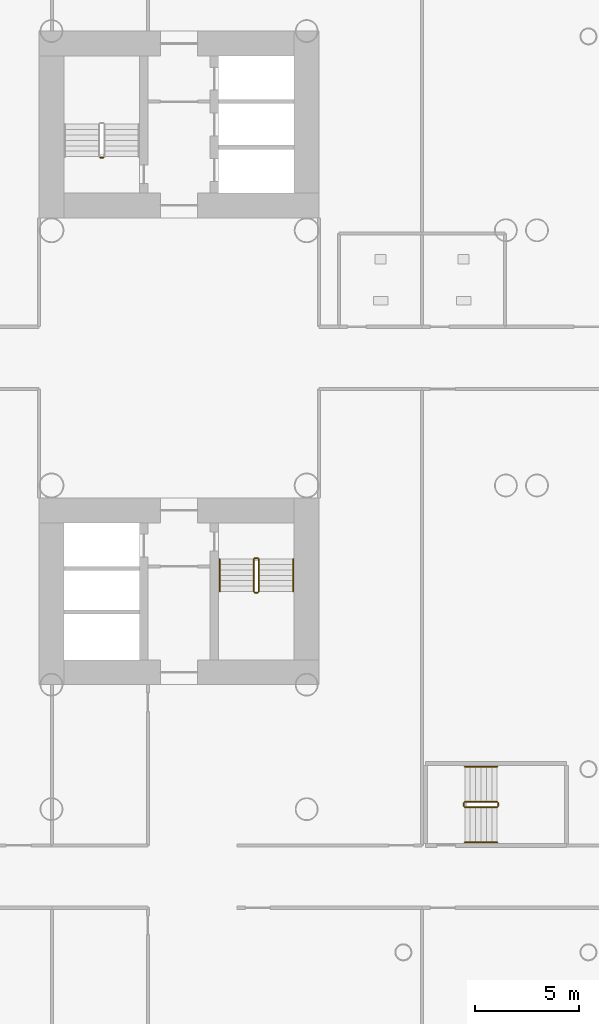
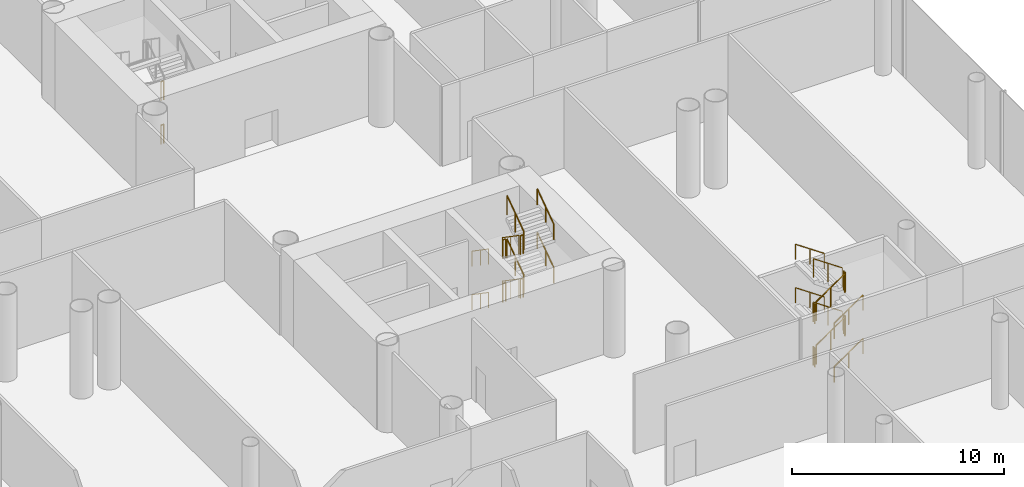
# One storey, part 54 of 59: 26 railings.
"""IFC4 building model written with IfcOpenShell, lengths in metres."""

from ifc_helpers import new_model, si_unit, direction, frame, origin, origin_2d, place, context, subcontext, project, spatial, circle, extrude, material, type_object, element, save


model = new_model("IFC4")

# Units and contexts
model_context = context("Model", 3, precision=1e-05, world=origin(), true_north=direction((0.0, 1.0)))
body_context = subcontext(model_context, "Body", "Model", "MODEL_VIEW")
ifc_project = project(units=[si_unit("LENGTHUNIT", "METRE"), si_unit("AREAUNIT", "SQUARE_METRE"), si_unit("VOLUMEUNIT", "CUBIC_METRE"), si_unit("PLANEANGLEUNIT", "RADIAN"), si_unit("MASSUNIT", "GRAM", prefix="KILO")], contexts=[model_context])

# Site, building, storey
site_placement = place(None, origin())
site = spatial("IfcSite", under=ifc_project, at=site_placement, CompositionType="ELEMENT")
building_placement = place(site_placement, origin())
building = spatial("IfcBuilding", under=site, at=building_placement, Name="Ipe Terrace Towers", CompositionType="ELEMENT")
storey_placement = place(building_placement, frame((0.0, 0.0, 6.0)))
storey = spatial("IfcBuildingStorey", under=building, at=storey_placement, Name="L01", CompositionType="ELEMENT", Elevation=6.0)

# Railings
ifc_material_1 = material(Name="Steel S355", Category="steel")
railing_type_1 = type_object("IfcRailingType", Name="Stair guard 1100", PredefinedType="GUARDRAIL", material=ifc_material_1)
for number, where, name in (
    (1, (32.35009765625, 9.64990234375, 2.5), "L01 T2-ST1 stair guard 4"),
    (2, (32.35009765625, 9.64990234375, 0.0), "L01 T2-ST1 stair guard 8"),
):
    element("IfcRailing", number, at=place(storey_placement, frame(where)), inside=storey, type_object=railing_type_1, Name=name, PredefinedType="GUARDRAIL", context=body_context, shape_type="SweptSolid", body=[
        extrude(circle(Radius=0.02392578125, at=origin_2d()), frame((0.0, 0.0, 1.076171875), z_axis=(-1.0, 0.0, 0.0), x_axis=(0.0, -1.0, 0.0)), (0.0, 0.0, 1.0), 0.150146484375),
        extrude(circle(Radius=0.02099609375, at=origin_2d()), origin(), (0.0, 0.0, 1.0), 1.052001953125),
        extrude(circle(Radius=0.02099609375, at=origin_2d()), frame((-0.150146484375, 0.0, 0.0)), (0.0, 0.0, 1.0), 1.052001953125),
    ])
railing_1_placement = place(storey_placement, frame((39.60009765625, -9.699951171875, 0.178466796875)))
element("IfcRailing", 3, at=railing_1_placement, inside=storey, type_object=railing_type_1, Name="L01 T2-ST2 stair guard 1", PredefinedType="GUARDRAIL", context=body_context, shape_type="SweptSolid", body=[
    extrude(circle(Radius=0.02392578125, at=origin_2d()), frame((0.0, 0.0, 1.076171875), z_axis=(0.0, -0.82429025813, 0.566167440208), x_axis=(1.0, 0.0, 0.0)), (0.0, 0.0, 1.0), 1.892578125),
    extrude(circle(Radius=0.02099609375, at=origin_2d()), origin(), (0.0, 0.0, 1.0), 1.052001953125),
    extrude(circle(Radius=0.02099609375, at=origin_2d()), frame((0.0, -0.780029296875, 0.53564453125)), (0.0, 0.0, 1.0), 1.052001953125),
    extrude(circle(Radius=0.02099609375, at=origin_2d()), frame((0.0, -1.56005859375, 1.071533203125)), (0.0, 0.0, 1.0), 1.052001953125),
])
railing_2_placement = place(storey_placement, frame((39.64990234375, -11.31005859375, 1.25)))
element("IfcRailing", 4, at=railing_2_placement, inside=storey, type_object=railing_type_1, Name="L01 T2-ST2 stair guard 2", PredefinedType="GUARDRAIL", context=body_context, shape_type="SweptSolid", body=[
    extrude(circle(Radius=0.02392578125, at=origin_2d()), frame((0.0, 0.0, 1.076171875), z_axis=(1.0, 0.0, 0.0), x_axis=(0.0, 1.0, 0.0)), (0.0, 0.0, 1.0), 0.150146484375),
    extrude(circle(Radius=0.02099609375, at=origin_2d()), origin(), (0.0, 0.0, 1.0), 1.052001953125),
    extrude(circle(Radius=0.02099609375, at=origin_2d()), frame((0.150146484375, 0.0, 0.0)), (0.0, 0.0, 1.0), 1.052001953125),
])
railing_3_placement = place(storey_placement, frame((39.85009765625, -11.260009765625, 1.428466796875)))
element("IfcRailing", 5, at=railing_3_placement, inside=storey, type_object=railing_type_1, Name="L01 T2-ST2 stair guard 3", PredefinedType="GUARDRAIL", context=body_context, shape_type="SweptSolid", body=[
    extrude(circle(Radius=0.02392578125, at=origin_2d()), frame((0.0, 0.0, 1.076171875), z_axis=(0.0, 0.82429025813, 0.566167440208), x_axis=(-1.0, 0.0, 0.0)), (0.0, 0.0, 1.0), 1.892578125),
    extrude(circle(Radius=0.02099609375, at=origin_2d()), origin(), (0.0, 0.0, 1.0), 1.052001953125),
    extrude(circle(Radius=0.02099609375, at=origin_2d()), frame((0.0, 0.780029296875, 0.53564453125)), (0.0, 0.0, 1.0), 1.052001953125),
    extrude(circle(Radius=0.02099609375, at=origin_2d()), frame((0.0, 1.56005859375, 1.071533203125)), (0.0, 0.0, 1.0), 1.052001953125),
])
railing_4_placement = place(storey_placement, frame((39.64990234375, -9.64990234375, 2.5)))
element("IfcRailing", 6, at=railing_4_placement, inside=storey, type_object=railing_type_1, Name="L01 T2-ST2 stair guard 4", PredefinedType="GUARDRAIL", context=body_context, shape_type="SweptSolid", body=[
    extrude(circle(Radius=0.02392578125, at=origin_2d()), frame((0.0, 0.0, 1.076171875), z_axis=(1.0, 0.0, 0.0), x_axis=(0.0, 1.0, 0.0)), (0.0, 0.0, 1.0), 0.150146484375),
    extrude(circle(Radius=0.02099609375, at=origin_2d()), origin(), (0.0, 0.0, 1.0), 1.052001953125),
    extrude(circle(Radius=0.02099609375, at=origin_2d()), frame((0.150146484375, 0.0, 0.0)), (0.0, 0.0, 1.0), 1.052001953125),
])
railing_5_placement = place(storey_placement, frame((39.60009765625, -9.699951171875, 2.678466796875)))
element("IfcRailing", 7, at=railing_5_placement, inside=storey, type_object=railing_type_1, Name="L01 T2-ST2 stair guard 5", PredefinedType="GUARDRAIL", context=body_context, shape_type="SweptSolid", body=[
    extrude(circle(Radius=0.02392578125, at=origin_2d()), frame((0.0, 0.0, 1.076171875), z_axis=(0.0, -0.82429025813, 0.566167440208), x_axis=(1.0, 0.0, 0.0)), (0.0, 0.0, 1.0), 1.892578125),
    extrude(circle(Radius=0.02099609375, at=origin_2d()), origin(), (0.0, 0.0, 1.0), 1.052001953125),
    extrude(circle(Radius=0.02099609375, at=origin_2d()), frame((0.0, -0.780029296875, 0.53564453125)), (0.0, 0.0, 1.0), 1.052001953125),
    extrude(circle(Radius=0.02099609375, at=origin_2d()), frame((0.0, -1.56005859375, 1.071533203125)), (0.0, 0.0, 1.0), 1.052001953125),
])
railing_6_placement = place(storey_placement, frame((39.64990234375, -11.31005859375, 3.75)))
element("IfcRailing", 8, at=railing_6_placement, inside=storey, type_object=railing_type_1, Name="L01 T2-ST2 stair guard 6", PredefinedType="GUARDRAIL", context=body_context, shape_type="SweptSolid", body=[
    extrude(circle(Radius=0.02392578125, at=origin_2d()), frame((0.0, 0.0, 1.076171875), z_axis=(1.0, 0.0, 0.0), x_axis=(0.0, 1.0, 0.0)), (0.0, 0.0, 1.0), 0.150146484375),
    extrude(circle(Radius=0.02099609375, at=origin_2d()), origin(), (0.0, 0.0, 1.0), 1.052001953125),
    extrude(circle(Radius=0.02099609375, at=origin_2d()), frame((0.150146484375, 0.0, 0.0)), (0.0, 0.0, 1.0), 1.052001953125),
])
railing_7_placement = place(storey_placement, frame((39.85009765625, -11.260009765625, 3.928466796875)))
element("IfcRailing", 9, at=railing_7_placement, inside=storey, type_object=railing_type_1, Name="L01 T2-ST2 stair guard 7", PredefinedType="GUARDRAIL", context=body_context, shape_type="SweptSolid", body=[
    extrude(circle(Radius=0.02392578125, at=origin_2d()), frame((0.0, 0.0, 1.076171875), z_axis=(0.0, 0.82429025813, 0.566167440208), x_axis=(-1.0, 0.0, 0.0)), (0.0, 0.0, 1.0), 1.892578125),
    extrude(circle(Radius=0.02099609375, at=origin_2d()), origin(), (0.0, 0.0, 1.0), 1.052001953125),
    extrude(circle(Radius=0.02099609375, at=origin_2d()), frame((0.0, 0.780029296875, 0.53564453125)), (0.0, 0.0, 1.0), 1.052001953125),
    extrude(circle(Radius=0.02099609375, at=origin_2d()), frame((0.0, 1.56005859375, 1.071533203125)), (0.0, 0.0, 1.0), 1.052001953125),
])
railing_8_placement = place(storey_placement, frame((39.64990234375, -9.64990234375, 0.0)))
element("IfcRailing", 10, at=railing_8_placement, inside=storey, type_object=railing_type_1, Name="L01 T2-ST2 stair guard 8", PredefinedType="GUARDRAIL", context=body_context, shape_type="SweptSolid", body=[
    extrude(circle(Radius=0.02392578125, at=origin_2d()), frame((0.0, 0.0, 1.076171875), z_axis=(1.0, 0.0, 0.0), x_axis=(0.0, 1.0, 0.0)), (0.0, 0.0, 1.0), 0.150146484375),
    extrude(circle(Radius=0.02099609375, at=origin_2d()), origin(), (0.0, 0.0, 1.0), 1.052001953125),
    extrude(circle(Radius=0.02099609375, at=origin_2d()), frame((0.150146484375, 0.0, 0.0)), (0.0, 0.0, 1.0), 1.052001953125),
])
railing_9_placement = place(storey_placement, frame((49.77001953125, -21.64990234375, 0.178466796875)))
element("IfcRailing", 11, at=railing_9_placement, inside=storey, type_object=railing_type_1, Name="L01 PS6 stair guard 1", PredefinedType="GUARDRAIL", context=body_context, shape_type="SweptSolid", body=[
    extrude(circle(Radius=0.02392578125, at=origin_2d()), frame((0.0, 0.0, 1.076171875), z_axis=(0.82429025813, 0.0, 0.566167440208), x_axis=(0.0, 1.0, 0.0)), (0.0, 0.0, 1.0), 1.892578125),
    extrude(circle(Radius=0.02099609375, at=origin_2d()), origin(), (0.0, 0.0, 1.0), 1.052001953125),
    extrude(circle(Radius=0.02099609375, at=origin_2d()), frame((0.780029296875, 0.0, 0.53564453125)), (0.0, 0.0, 1.0), 1.052001953125),
    extrude(circle(Radius=0.02099609375, at=origin_2d()), frame((1.56005859375, 0.0, 1.071533203125)), (0.0, 0.0, 1.0), 1.052001953125),
])
railing_10_placement = place(storey_placement, frame((51.3798828125, -21.60009765625, 1.25)))
element("IfcRailing", 12, at=railing_10_placement, inside=storey, type_object=railing_type_1, Name="L01 PS6 stair guard 2", PredefinedType="GUARDRAIL", context=body_context, shape_type="SweptSolid", body=[
    extrude(circle(Radius=0.02392578125, at=origin_2d()), frame((0.0, 0.0, 1.076171875), z_axis=(0.0, 1.0, 0.0), x_axis=(-1.0, 0.0, 0.0)), (0.0, 0.0, 1.0), 0.150146484375),
    extrude(circle(Radius=0.02099609375, at=origin_2d()), origin(), (0.0, 0.0, 1.0), 1.052001953125),
    extrude(circle(Radius=0.02099609375, at=origin_2d()), frame((0.0, 0.150146484375, 0.0)), (0.0, 0.0, 1.0), 1.052001953125),
])
railing_11_placement = place(storey_placement, frame((51.330078125, -21.39990234375, 1.428466796875)))
element("IfcRailing", 13, at=railing_11_placement, inside=storey, type_object=railing_type_1, Name="L01 PS6 stair guard 3", PredefinedType="GUARDRAIL", context=body_context, shape_type="SweptSolid", body=[
    extrude(circle(Radius=0.02392578125, at=origin_2d()), frame((0.0, 0.0, 1.076171875), z_axis=(-0.82429025813, 0.0, 0.566167440208), x_axis=(0.0, -1.0, 0.0)), (0.0, 0.0, 1.0), 1.892578125),
    extrude(circle(Radius=0.02099609375, at=origin_2d()), origin(), (0.0, 0.0, 1.0), 1.052001953125),
    extrude(circle(Radius=0.02099609375, at=origin_2d()), frame((-0.780029296875, 0.0, 0.53564453125)), (0.0, 0.0, 1.0), 1.052001953125),
    extrude(circle(Radius=0.02099609375, at=origin_2d()), frame((-1.56005859375, 0.0, 1.071533203125)), (0.0, 0.0, 1.0), 1.052001953125),
])
railing_12_placement = place(storey_placement, frame((49.719970703125, -21.60009765625, 2.5)))
element("IfcRailing", 14, at=railing_12_placement, inside=storey, type_object=railing_type_1, Name="L01 PS6 stair guard 4", PredefinedType="GUARDRAIL", context=body_context, shape_type="SweptSolid", body=[
    extrude(circle(Radius=0.02392578125, at=origin_2d()), frame((0.0, 0.0, 1.076171875), z_axis=(0.0, 1.0, 0.0), x_axis=(-1.0, 0.0, 0.0)), (0.0, 0.0, 1.0), 0.150146484375),
    extrude(circle(Radius=0.02099609375, at=origin_2d()), origin(), (0.0, 0.0, 1.0), 1.052001953125),
    extrude(circle(Radius=0.02099609375, at=origin_2d()), frame((0.0, 0.150146484375, 0.0)), (0.0, 0.0, 1.0), 1.052001953125),
])
railing_13_placement = place(storey_placement, frame((49.77001953125, -21.64990234375, 2.678466796875)))
element("IfcRailing", 15, at=railing_13_placement, inside=storey, type_object=railing_type_1, Name="L01 PS6 stair guard 5", PredefinedType="GUARDRAIL", context=body_context, shape_type="SweptSolid", body=[
    extrude(circle(Radius=0.02392578125, at=origin_2d()), frame((0.0, 0.0, 1.076171875), z_axis=(0.82429025813, 0.0, 0.566167440208), x_axis=(0.0, 1.0, 0.0)), (0.0, 0.0, 1.0), 1.892578125),
    extrude(circle(Radius=0.02099609375, at=origin_2d()), origin(), (0.0, 0.0, 1.0), 1.052001953125),
    extrude(circle(Radius=0.02099609375, at=origin_2d()), frame((0.780029296875, 0.0, 0.53564453125)), (0.0, 0.0, 1.0), 1.052001953125),
    extrude(circle(Radius=0.02099609375, at=origin_2d()), frame((1.56005859375, 0.0, 1.071533203125)), (0.0, 0.0, 1.0), 1.052001953125),
])
railing_14_placement = place(storey_placement, frame((51.3798828125, -21.60009765625, 3.75)))
element("IfcRailing", 16, at=railing_14_placement, inside=storey, type_object=railing_type_1, Name="L01 PS6 stair guard 6", PredefinedType="GUARDRAIL", context=body_context, shape_type="SweptSolid", body=[
    extrude(circle(Radius=0.02392578125, at=origin_2d()), frame((0.0, 0.0, 1.076171875), z_axis=(0.0, 1.0, 0.0), x_axis=(-1.0, 0.0, 0.0)), (0.0, 0.0, 1.0), 0.150146484375),
    extrude(circle(Radius=0.02099609375, at=origin_2d()), origin(), (0.0, 0.0, 1.0), 1.052001953125),
    extrude(circle(Radius=0.02099609375, at=origin_2d()), frame((0.0, 0.150146484375, 0.0)), (0.0, 0.0, 1.0), 1.052001953125),
])
railing_15_placement = place(storey_placement, frame((51.330078125, -21.39990234375, 3.928466796875)))
element("IfcRailing", 17, at=railing_15_placement, inside=storey, type_object=railing_type_1, Name="L01 PS6 stair guard 7", PredefinedType="GUARDRAIL", context=body_context, shape_type="SweptSolid", body=[
    extrude(circle(Radius=0.02392578125, at=origin_2d()), frame((0.0, 0.0, 1.076171875), z_axis=(-0.82429025813, 0.0, 0.566167440208), x_axis=(0.0, -1.0, 0.0)), (0.0, 0.0, 1.0), 1.892578125),
    extrude(circle(Radius=0.02099609375, at=origin_2d()), origin(), (0.0, 0.0, 1.0), 1.052001953125),
    extrude(circle(Radius=0.02099609375, at=origin_2d()), frame((-0.780029296875, 0.0, 0.53564453125)), (0.0, 0.0, 1.0), 1.052001953125),
    extrude(circle(Radius=0.02099609375, at=origin_2d()), frame((-1.56005859375, 0.0, 1.071533203125)), (0.0, 0.0, 1.0), 1.052001953125),
])
railing_16_placement = place(storey_placement, frame((49.719970703125, -21.60009765625, 0.0)))
element("IfcRailing", 18, at=railing_16_placement, inside=storey, type_object=railing_type_1, Name="L01 PS6 stair guard 8", PredefinedType="GUARDRAIL", context=body_context, shape_type="SweptSolid", body=[
    extrude(circle(Radius=0.02392578125, at=origin_2d()), frame((0.0, 0.0, 1.076171875), z_axis=(0.0, 1.0, 0.0), x_axis=(-1.0, 0.0, 0.0)), (0.0, 0.0, 1.0), 0.150146484375),
    extrude(circle(Radius=0.02099609375, at=origin_2d()), origin(), (0.0, 0.0, 1.0), 1.052001953125),
    extrude(circle(Radius=0.02099609375, at=origin_2d()), frame((0.0, 0.150146484375, 0.0)), (0.0, 0.0, 1.0), 1.052001953125),
])
ifc_material_2 = material(Name="Stainless steel grade 304", Category="steel")
railing_type_2 = type_object("IfcRailingType", Name="Stair handrail 900", PredefinedType="HANDRAIL", material=ifc_material_2)
railing_17_placement = place(storey_placement, frame((37.949951171875, -9.699951171875, 0.178466796875)))
element("IfcRailing", 19, at=railing_17_placement, inside=storey, type_object=railing_type_2, Name="L01 T2-ST2 stair handrail 1", PredefinedType="HANDRAIL", context=body_context, shape_type="SweptSolid", body=[
    extrude(circle(Radius=0.02392578125, at=origin_2d()), frame((0.0, 0.0, 0.8759765625), z_axis=(0.0, -0.82429025813, 0.566167440208), x_axis=(1.0, 0.0, 0.0)), (0.0, 0.0, 1.0), 1.892578125),
    extrude(circle(Radius=0.02099609375, at=origin_2d()), origin(), (0.0, 0.0, 1.0), 0.851806640625),
    extrude(circle(Radius=0.02099609375, at=origin_2d()), frame((0.0, -0.780029296875, 0.53564453125)), (0.0, 0.0, 1.0), 0.851806640625),
    extrude(circle(Radius=0.02099609375, at=origin_2d()), frame((0.0, -1.56005859375, 1.071533203125)), (0.0, 0.0, 1.0), 0.851806640625),
])
railing_18_placement = place(storey_placement, frame((41.5, -11.260009765625, 1.428466796875)))
element("IfcRailing", 20, at=railing_18_placement, inside=storey, type_object=railing_type_2, Name="L01 T2-ST2 stair handrail 2", PredefinedType="HANDRAIL", context=body_context, shape_type="SweptSolid", body=[
    extrude(circle(Radius=0.02392578125, at=origin_2d()), frame((0.0, 0.0, 0.8759765625), z_axis=(0.0, 0.82429025813, 0.566167440208), x_axis=(-1.0, 0.0, 0.0)), (0.0, 0.0, 1.0), 1.892578125),
    extrude(circle(Radius=0.02099609375, at=origin_2d()), origin(), (0.0, 0.0, 1.0), 0.851806640625),
    extrude(circle(Radius=0.02099609375, at=origin_2d()), frame((0.0, 0.780029296875, 0.53564453125)), (0.0, 0.0, 1.0), 0.851806640625),
    extrude(circle(Radius=0.02099609375, at=origin_2d()), frame((0.0, 1.56005859375, 1.071533203125)), (0.0, 0.0, 1.0), 0.851806640625),
])
railing_19_placement = place(storey_placement, frame((37.949951171875, -9.699951171875, 2.678466796875)))
element("IfcRailing", 21, at=railing_19_placement, inside=storey, type_object=railing_type_2, Name="L01 T2-ST2 stair handrail 3", PredefinedType="HANDRAIL", context=body_context, shape_type="SweptSolid", body=[
    extrude(circle(Radius=0.02392578125, at=origin_2d()), frame((0.0, 0.0, 0.8759765625), z_axis=(0.0, -0.82429025813, 0.566167440208), x_axis=(1.0, 0.0, 0.0)), (0.0, 0.0, 1.0), 1.892578125),
    extrude(circle(Radius=0.02099609375, at=origin_2d()), origin(), (0.0, 0.0, 1.0), 0.851806640625),
    extrude(circle(Radius=0.02099609375, at=origin_2d()), frame((0.0, -0.780029296875, 0.53564453125)), (0.0, 0.0, 1.0), 0.851806640625),
    extrude(circle(Radius=0.02099609375, at=origin_2d()), frame((0.0, -1.56005859375, 1.071533203125)), (0.0, 0.0, 1.0), 0.851806640625),
])
railing_20_placement = place(storey_placement, frame((41.5, -11.260009765625, 3.928466796875)))
element("IfcRailing", 22, at=railing_20_placement, inside=storey, type_object=railing_type_2, Name="L01 T2-ST2 stair handrail 4", PredefinedType="HANDRAIL", context=body_context, shape_type="SweptSolid", body=[
    extrude(circle(Radius=0.02392578125, at=origin_2d()), frame((0.0, 0.0, 0.8759765625), z_axis=(0.0, 0.82429025813, 0.566167440208), x_axis=(-1.0, 0.0, 0.0)), (0.0, 0.0, 1.0), 1.892578125),
    extrude(circle(Radius=0.02099609375, at=origin_2d()), origin(), (0.0, 0.0, 1.0), 0.851806640625),
    extrude(circle(Radius=0.02099609375, at=origin_2d()), frame((0.0, 0.780029296875, 0.53564453125)), (0.0, 0.0, 1.0), 0.851806640625),
    extrude(circle(Radius=0.02099609375, at=origin_2d()), frame((0.0, 1.56005859375, 1.071533203125)), (0.0, 0.0, 1.0), 0.851806640625),
])
railing_21_placement = place(storey_placement, frame((49.77001953125, -23.35009765625, 0.178466796875)))
element("IfcRailing", 23, at=railing_21_placement, inside=storey, type_object=railing_type_2, Name="L01 PS6 stair handrail 1", PredefinedType="HANDRAIL", context=body_context, shape_type="SweptSolid", body=[
    extrude(circle(Radius=0.02392578125, at=origin_2d()), frame((0.0, 0.0, 0.8759765625), z_axis=(0.82429025813, 0.0, 0.566167440208), x_axis=(0.0, 1.0, 0.0)), (0.0, 0.0, 1.0), 1.892578125),
    extrude(circle(Radius=0.02099609375, at=origin_2d()), origin(), (0.0, 0.0, 1.0), 0.851806640625),
    extrude(circle(Radius=0.02099609375, at=origin_2d()), frame((0.780029296875, 0.0, 0.53564453125)), (0.0, 0.0, 1.0), 0.851806640625),
    extrude(circle(Radius=0.02099609375, at=origin_2d()), frame((1.56005859375, 0.0, 1.071533203125)), (0.0, 0.0, 1.0), 0.851806640625),
])
railing_22_placement = place(storey_placement, frame((51.330078125, -19.699951171875, 1.428466796875)))
element("IfcRailing", 24, at=railing_22_placement, inside=storey, type_object=railing_type_2, Name="L01 PS6 stair handrail 2", PredefinedType="HANDRAIL", context=body_context, shape_type="SweptSolid", body=[
    extrude(circle(Radius=0.02392578125, at=origin_2d()), frame((0.0, 0.0, 0.8759765625), z_axis=(-0.82429025813, 0.0, 0.566167440208), x_axis=(0.0, -1.0, 0.0)), (0.0, 0.0, 1.0), 1.892578125),
    extrude(circle(Radius=0.02099609375, at=origin_2d()), origin(), (0.0, 0.0, 1.0), 0.851806640625),
    extrude(circle(Radius=0.02099609375, at=origin_2d()), frame((-0.780029296875, 0.0, 0.53564453125)), (0.0, 0.0, 1.0), 0.851806640625),
    extrude(circle(Radius=0.02099609375, at=origin_2d()), frame((-1.56005859375, 0.0, 1.071533203125)), (0.0, 0.0, 1.0), 0.851806640625),
])
railing_23_placement = place(storey_placement, frame((49.77001953125, -23.35009765625, 2.678466796875)))
element("IfcRailing", 25, at=railing_23_placement, inside=storey, type_object=railing_type_2, Name="L01 PS6 stair handrail 3", PredefinedType="HANDRAIL", context=body_context, shape_type="SweptSolid", body=[
    extrude(circle(Radius=0.02392578125, at=origin_2d()), frame((0.0, 0.0, 0.8759765625), z_axis=(0.82429025813, 0.0, 0.566167440208), x_axis=(0.0, 1.0, 0.0)), (0.0, 0.0, 1.0), 1.892578125),
    extrude(circle(Radius=0.02099609375, at=origin_2d()), origin(), (0.0, 0.0, 1.0), 0.851806640625),
    extrude(circle(Radius=0.02099609375, at=origin_2d()), frame((0.780029296875, 0.0, 0.53564453125)), (0.0, 0.0, 1.0), 0.851806640625),
    extrude(circle(Radius=0.02099609375, at=origin_2d()), frame((1.56005859375, 0.0, 1.071533203125)), (0.0, 0.0, 1.0), 0.851806640625),
])
railing_24_placement = place(storey_placement, frame((51.330078125, -19.699951171875, 3.928466796875)))
element("IfcRailing", 26, at=railing_24_placement, inside=storey, type_object=railing_type_2, Name="L01 PS6 stair handrail 4", PredefinedType="HANDRAIL", context=body_context, shape_type="SweptSolid", body=[
    extrude(circle(Radius=0.02392578125, at=origin_2d()), frame((0.0, 0.0, 0.8759765625), z_axis=(-0.82429025813, 0.0, 0.566167440208), x_axis=(0.0, -1.0, 0.0)), (0.0, 0.0, 1.0), 1.892578125),
    extrude(circle(Radius=0.02099609375, at=origin_2d()), origin(), (0.0, 0.0, 1.0), 0.851806640625),
    extrude(circle(Radius=0.02099609375, at=origin_2d()), frame((-0.780029296875, 0.0, 0.53564453125)), (0.0, 0.0, 1.0), 0.851806640625),
    extrude(circle(Radius=0.02099609375, at=origin_2d()), frame((-1.56005859375, 0.0, 1.071533203125)), (0.0, 0.0, 1.0), 0.851806640625),
])

save(model, "model.ifc")
